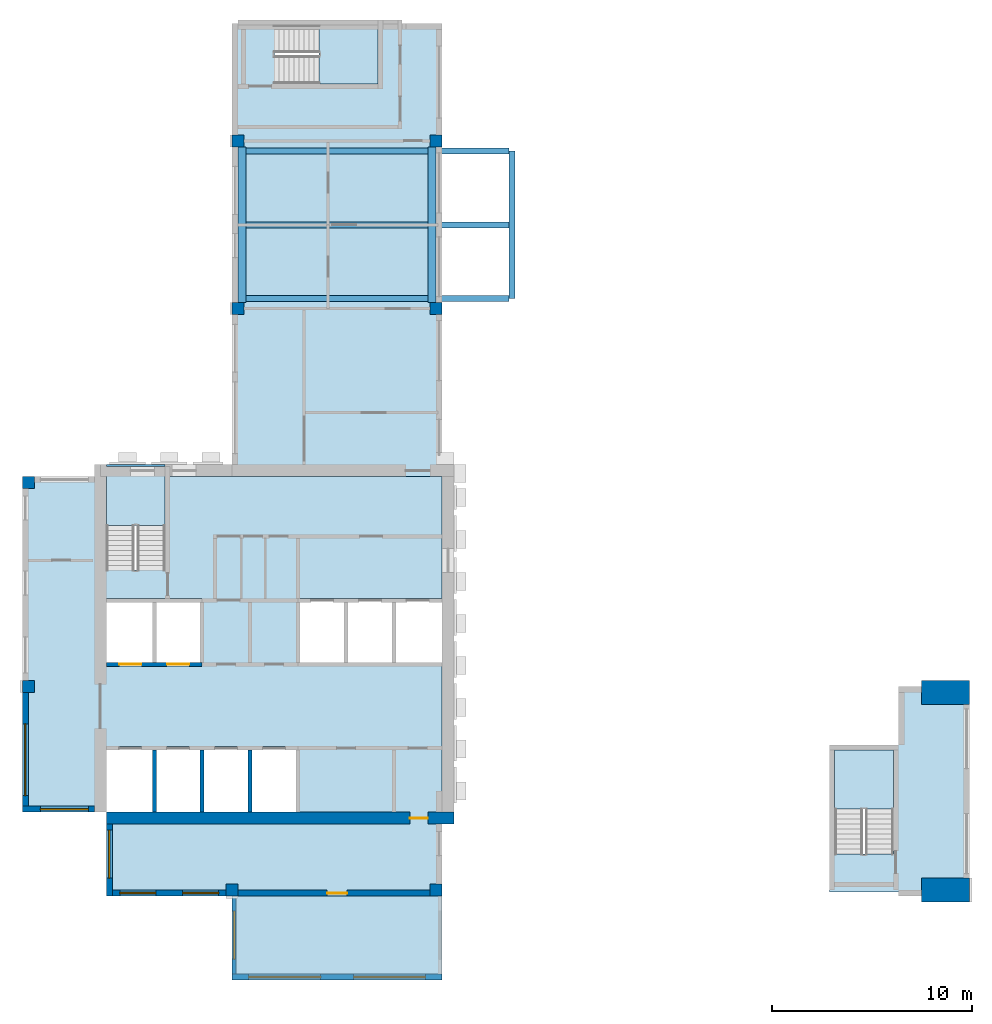
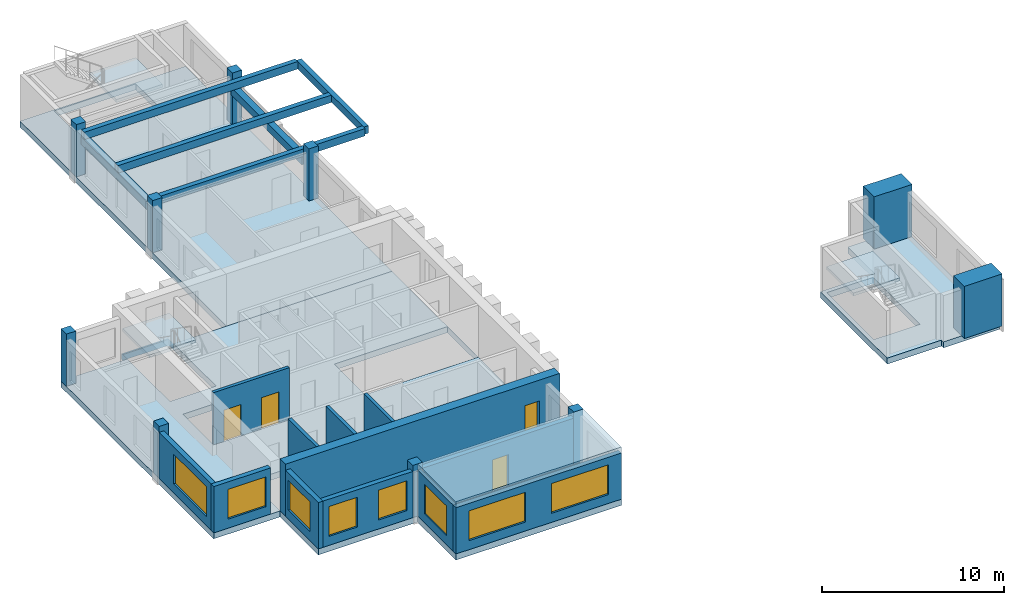
# One storey, part 1 of 7: 12 walls, 10 columns, 9 slabs, 8 windows, 6 beams, 4 doors, 12 openings, 3 elements without a shape of their own.
"""IFC4 building model written with IfcOpenShell, lengths in metres."""

from ifc_helpers import new_model, si_unit, direction, frame, frame_2d, origin, origin_2d, place, context, subcontext, project, spatial, polyline, rectangle, outline, extrude, source, transform, mapped, material, layer, layer_set, material_profile, profile_set, type_object, element, fill, aggregate, save


model = new_model("IFC4")

# Units and contexts
model_context = context("Model", 3, precision=1e-05, world=origin(), true_north=direction((0.0, 1.0)))
body_context = subcontext(model_context, "Body", "Model", "MODEL_VIEW")
ifc_project = project(units=[si_unit("LENGTHUNIT", "METRE"), si_unit("AREAUNIT", "SQUARE_METRE"), si_unit("VOLUMEUNIT", "CUBIC_METRE"), si_unit("PLANEANGLEUNIT", "RADIAN"), si_unit("MASSUNIT", "GRAM", prefix="KILO")], contexts=[model_context])

# Site, building, storey
site_placement = place(None, origin())
site = spatial("IfcSite", under=ifc_project, at=site_placement, CompositionType="ELEMENT")
building_placement = place(site_placement, origin())
building = spatial("IfcBuilding", under=site, at=building_placement, Name="Aurelian Terraces", CompositionType="ELEMENT")
storey_placement = place(building_placement, frame((0.0, 0.0, 337.0)))
storey = spatial("IfcBuildingStorey", under=building, at=storey_placement, Name="L79", CompositionType="ELEMENT", Elevation=337.0)

# Columns
ifc_material_1 = material(Name="Concrete fc' 55 MPa", Category="concrete")
ifc_material_profile_1 = material_profile(ifc_material_1, rectangle(XDim=0.6, YDim=0.6, at=origin_2d()))
ifc_profile_set_1 = profile_set([ifc_material_profile_1], Name="Concrete fc' 55 MPa")
column_type_1 = type_object("IfcColumnType", Name="RC COLUMN 600X600 FC55", PredefinedType="COLUMN", material=ifc_profile_set_1)
shared_shape_1 = source(origin(), body_context, "Body", "SweptSolid", [
    extrude(rectangle(XDim=0.6, YDim=0.6, at=origin_2d()), origin(), (0.0, 0.0, 1.0), 3.5),
])
for number, where, z_axis, x_axis, name in (
    (1, (10.5, 0.3, 0.0), (0.0, 0.0, 1.0), (1.0, 0.0, 0.0), "Column 2/A L79"),
    (2, (20.7, 0.3, 0.0), (0.0, 0.0, 1.0), (1.0, 0.0, 0.0), "Column 3/A L79"),
    (3, (0.3, 10.5, 0.0), (0.0, 0.0, 1.0), (1.0, 0.0, 0.0), "Column 1/B L79"),
    (4, (0.3, 20.7, 0.0), (0.0, 0.0, 1.0), (1.0, 0.0, 0.0), "Column 1/C L79"),
    (5, (10.8, 29.4, 0.0), (0.0, 0.0, 1.0), (1.0, 0.0, 0.0), "Column 2/D L79"),
    (6, (20.7, 29.4, 0.0), (0.0, 0.0, 1.0), (1.0, 0.0, 0.0), "Column 3/D L79"),
    (7, (10.8, 37.8, 0.0), (0.0, 0.0, 1.0), (1.0, 0.0, 0.0), "Column 2/E L79"),
    (8, (20.7, 37.8, 0.0), (0.0, 0.0, 1.0), (1.0, 0.0, 0.0), "Column 3/E L79"),
):
    element("IfcColumn", number, at=place(storey_placement, frame(where, z_axis=z_axis, x_axis=x_axis)), inside=storey, type_object=column_type_1, Name=name, PredefinedType="COLUMN", context=body_context, shape_type="MappedRepresentation", body=[
        mapped(shared_shape_1, transform((0.0, 0.0, 0.0), scale=1.0)),
    ])
ifc_material_profile_2 = material_profile(ifc_material_1, rectangle(XDim=2.4, YDim=1.2, at=origin_2d()))
ifc_profile_set_2 = profile_set([ifc_material_profile_2], Name="Concrete fc' 55 MPa")
column_type_2 = type_object("IfcColumnType", Name="Portal jamb pilaster 2400x1200", PredefinedType="PILASTER", material=ifc_profile_set_2)
shared_shape_2 = source(origin(), body_context, "Body", "SweptSolid", [
    extrude(rectangle(XDim=2.4, YDim=1.2, at=origin_2d()), origin(), (0.0, 0.0, 1.0), 3.5),
])
for number, where, z_axis, x_axis, name in (
    (9, (46.2, 0.3, 0.0), (0.0, 0.0, 1.0), (1.0, 0.0, 0.0), "Column 6/A L79"),
    (10, (46.2, 10.2, 0.0), (0.0, 0.0, 1.0), (1.0, 0.0, 0.0), "Column 6/B L79"),
):
    element("IfcColumn", number, at=place(storey_placement, frame(where, z_axis=z_axis, x_axis=x_axis)), inside=storey, type_object=column_type_2, Name=name, PredefinedType="PILASTER", context=body_context, shape_type="MappedRepresentation", body=[
        mapped(shared_shape_2, transform((0.0, 0.0, 0.0), scale=1.0)),
    ])

# Beams
ifc_material_2 = material(Name="Concrete fc' 40 MPa", Category="concrete")
ifc_material_profile_3 = material_profile(ifc_material_2, rectangle(XDim=0.3, YDim=0.5, at=origin_2d()))
ifc_profile_set_3 = profile_set([ifc_material_profile_3], Name="Concrete fc' 40 MPa")
beam_type_1 = type_object("IfcBeamType", Name="CONCRETE CANTILEVER BEAM 300X500", PredefinedType="BEAM", material=ifc_profile_set_3)
shared_shape_3 = source(origin(), body_context, "Body", "SweptSolid", [
    extrude(rectangle(XDim=0.3, YDim=0.5, at=origin_2d()), origin(), (0.0, 0.0, 1.0), 13.55),
])
for number, where, z_axis, x_axis, name in (
    (11, (24.35, 29.9, 2.85), (-1.0, 0.0, 0.0), (0.0, -1.0, 0.0), "Box cantilever beam J94.1"),
    (12, (24.35, 37.3, 2.85), (-1.0, 0.0, 0.0), (0.0, -1.0, 0.0), "Box cantilever beam J94.2"),
    (13, (24.35, 33.6, 2.85), (-1.0, 0.0, 0.0), (0.0, -1.0, 0.0), "Box cantilever beam J94.m1"),
):
    element("IfcBeam", number, at=place(storey_placement, frame(where, z_axis=z_axis, x_axis=x_axis)), inside=storey, type_object=beam_type_1, Name=name, PredefinedType="BEAM", context=body_context, shape_type="MappedRepresentation", body=[
        mapped(shared_shape_3, transform((0.0, 0.0, 0.0), scale=1.0)),
    ])
ifc_material_profile_4 = material_profile(ifc_material_2, rectangle(XDim=0.4, YDim=0.5, at=origin_2d()))
ifc_profile_set_4 = profile_set([ifc_material_profile_4], Name="Concrete fc' 40 MPa")
beam_type_2 = type_object("IfcBeamType", Name="CONCRETE EDGE GIRDER 400X500", PredefinedType="BEAM", material=ifc_profile_set_4)
shared_shape_4 = source(origin(), body_context, "Body", "SweptSolid", [
    extrude(rectangle(XDim=0.4, YDim=0.5, at=origin_2d()), origin(), (0.0, 0.0, 1.0), 7.8),
])
for number, where, z_axis, x_axis, name in (
    (14, (20.5, 29.7, 2.35), (0.0, 1.0, 0.0), (-1.0, 0.0, 0.0), "Box girder L79 O181"),
    (15, (11.0, 29.7, 2.35), (0.0, 1.0, 0.0), (-1.0, 0.0, 0.0), "Box girder L79 I182"),
):
    element("IfcBeam", number, at=place(storey_placement, frame(where, z_axis=z_axis, x_axis=x_axis)), inside=storey, type_object=beam_type_2, Name=name, PredefinedType="BEAM", context=body_context, shape_type="MappedRepresentation", body=[
        mapped(shared_shape_4, transform((0.0, 0.0, 0.0), scale=1.0)),
    ])
shared_shape_5 = source(origin(), body_context, "Body", "SweptSolid", [
    extrude(rectangle(XDim=0.3, YDim=0.5, at=origin_2d()), origin(), (0.0, 0.0, 1.0), 7.4),
])
beam_placement = place(storey_placement, frame((24.5, 29.9, 2.85), z_axis=(0.0, 1.0, 0.0), x_axis=(-1.0, 0.0, 0.0)))
element("IfcBeam", 16, at=beam_placement, inside=storey, type_object=beam_type_1, Name="Box tip beam J94", PredefinedType="BEAM", context=body_context, shape_type="MappedRepresentation", body=[
    mapped(shared_shape_5, transform((0.0, 0.0, 0.0), scale=1.0)),
])

# Slabs
ifc_layer_1 = layer(ifc_material_2, 0.4)
ifc_layer_set_1 = layer_set([ifc_layer_1], Name="Box roof 400")
slab_type_1 = type_object("IfcSlabType", Name="Box roof 400", PredefinedType="ROOF", material=ifc_layer_set_1)
slab_1_placement = place(storey_placement, frame((0.0, 0.0, 3.1)))
element("IfcSlab", 17, at=slab_1_placement, inside=storey, type_object=slab_type_1, Name="Box roof J93", PredefinedType="ROOF", context=body_context, shape_type="SweptSolid", body=[
    extrude(outline(polyline([(10.5, -4.2), (21.0, -4.2), (21.0, 0.0), (10.5, 0.0), (10.5, -4.2)])), origin(), (0.0, 0.0, 1.0), 0.4),
])
ifc_layer_2 = layer(ifc_material_2, 0.4)
ifc_layer_set_2 = layer_set([ifc_layer_2], Name="PT FLAT PLATE 400")
slab_type_2 = type_object("IfcSlabType", Name="PT FLAT PLATE 400", PredefinedType="FLOOR", material=ifc_layer_set_2)
slab_2_placement = place(storey_placement, frame((0.0, 0.0, -0.4)))
element("IfcSlab", 18, at=slab_2_placement, inside=storey, type_object=slab_type_2, Name="Floor slab S2 L79", PredefinedType="FLOOR", context=body_context, shape_type="SweptSolid", body=[
    extrude(outline(polyline([(43.85, 7.55), (43.85, 10.5), (47.4, 10.5), (47.4, 0.0), (43.85, 0.0), (43.85, 0.2), (40.4, 0.2), (40.4, 7.55), (43.85, 7.55)]), holes=[polyline([(40.66, 2.11), (43.59, 2.11), (43.59, 7.29), (40.66, 7.29), (40.66, 2.11)])]), origin(), (0.0, 0.0, 1.0), 0.4),
])
shared_shape_6 = source(origin(), body_context, "Body", "SweptSolid", [
    extrude(outline(polyline([(10.5, 43.68), (14.7, 43.68), (16.8, 43.68), (21.0, 43.68), (21.0, 21.0), (10.5, 21.0), (10.5, 43.68)]), holes=[polyline([(17.79, 43.59), (12.61, 43.59), (12.61, 40.66), (17.79, 40.66), (17.79, 43.59)])]), origin(), (0.0, 0.0, 1.0), 0.4),
])
slab_3_placement = place(storey_placement, frame((0.0, 0.0, -0.4)))
element("IfcSlab", 19, at=slab_3_placement, inside=storey, type_object=slab_type_2, Name="Floor slab W L79", PredefinedType="FLOOR", context=body_context, shape_type="MappedRepresentation", body=[
    mapped(shared_shape_6, transform((0.0, 0.0, 0.0), scale=1.0)),
])
shared_shape_7 = source(origin(), body_context, "Body", "SweptSolid", [
    extrude(outline(polyline([(4.2, 21.0), (4.2, 21.6), (7.15, 21.6), (7.15, 21.0), (7.14, 21.0), (7.14, 21.49), (4.21, 21.49), (4.21, 21.0), (4.2, 21.0)])), origin(), (0.0, 0.0, 1.0), 0.4),
])
slab_4_placement = place(storey_placement, frame((0.0, 0.0, -0.4)))
element("IfcSlab", 20, at=slab_4_placement, inside=storey, type_object=slab_type_2, Name="Floor slab W2 L79", PredefinedType="FLOOR", context=body_context, shape_type="MappedRepresentation", body=[
    mapped(shared_shape_7, transform((0.0, 0.0, 0.0), scale=1.0)),
])
shared_shape_8 = source(origin(), body_context, "Body", "SweptSolid", [
    extrude(outline(polyline([(0.0, 4.2), (0.0, 10.5), (0.0, 21.0), (4.21, 21.0), (4.21, 16.31), (7.14, 16.31), (7.14, 21.0), (21.0, 21.0), (21.0, 10.5), (21.0, 0.0), (4.2, 0.0), (4.2, 4.2), (0.0, 4.2)]), holes=[polyline([(13.81, 14.89), (13.81, 11.51), (20.99, 11.51), (20.99, 14.89), (13.81, 14.89)]), polyline([(4.21, 7.49), (4.21, 4.21), (13.79, 4.21), (13.79, 7.49), (4.21, 7.49)]), polyline([(8.99, 11.51), (8.99, 14.89), (4.21, 14.89), (4.21, 11.51), (8.99, 11.51)])]), origin(), (0.0, 0.0, 1.0), 0.4),
])
slab_5_placement = place(storey_placement, frame((0.0, 0.0, -0.4)))
element("IfcSlab", 21, at=slab_5_placement, inside=storey, type_object=slab_type_2, Name="Floor slab S L79", PredefinedType="FLOOR", context=body_context, shape_type="MappedRepresentation", body=[
    mapped(shared_shape_8, transform((0.0, 0.0, 0.0), scale=1.0)),
])
ifc_layer_3 = layer(ifc_material_2, 0.41)
ifc_layer_set_3 = layer_set([ifc_layer_3], Name="Box floor 410")
slab_type_3 = type_object("IfcSlabType", Name="Box floor 410", PredefinedType="NOTDEFINED", material=ifc_layer_set_3)
shared_shape_9 = source(origin(), body_context, "Body", "SweptSolid", [
    extrude(outline(polyline([(10.5, -4.2), (21.0, -4.2), (21.0, 0.0), (10.5, 0.0), (10.5, -4.2)])), origin(), (0.0, 0.0, 1.0), 0.41),
])
slab_6_placement = place(storey_placement, frame((0.0, 0.0, -0.41)))
element("IfcSlab", 22, at=slab_6_placement, inside=storey, type_object=slab_type_3, Name="Box floor L79 J93", PredefinedType="NOTDEFINED", context=body_context, shape_type="MappedRepresentation", body=[
    mapped(shared_shape_9, transform((0.0, 0.0, 0.0), scale=1.0)),
])

# Stair, slab
stair_type = type_object("IfcStairType", Name="Stair 1400", PredefinedType="HALF_TURN_STAIR", material=ifc_material_2)
stair_1_placement = place(storey_placement, origin())
stair_1 = element("IfcStair", 23, at=stair_1_placement, inside=storey, type_object=stair_type, Name="L79 S1", PredefinedType="HALF_TURN_STAIR")
ifc_layer_4 = layer(ifc_material_2, 0.2)
ifc_layer_set_4 = layer_set([ifc_layer_4], Name="Stair landing 200")
slab_type_4 = type_object("IfcSlabType", Name="Stair landing 200", PredefinedType="LANDING", material=ifc_layer_set_4)
shared_shape_10 = source(origin(), body_context, "Body", "SweptSolid", [
    extrude(outline(polyline([(7.15, 18.55), (7.15, 21.5), (4.2, 21.5), (4.2, 18.55), (7.15, 18.55)])), origin(), (0.0, 0.0, 1.0), 0.2),
])
slab_7_placement = place(storey_placement, frame((0.0, 0.0, 1.55)))
slab_7 = element("IfcSlab", 24, at=slab_7_placement, type_object=slab_type_4, Name="S1 landing 1", PredefinedType="LANDING", context=body_context, shape_type="MappedRepresentation", body=[
    mapped(shared_shape_10, transform((0.0, 0.0, 0.0), scale=1.0)),
])
aggregate(stair_1, [slab_7])

stair_2_placement = place(storey_placement, origin())
stair_2 = element("IfcStair", 25, at=stair_2_placement, inside=storey, type_object=stair_type, Name="L79 S2", PredefinedType="HALF_TURN_STAIR")
shared_shape_11 = source(origin(), body_context, "Body", "SweptSolid", [
    extrude(outline(polyline([(43.6, 4.35), (43.6, 7.3), (40.65, 7.3), (40.65, 4.35), (43.6, 4.35)])), origin(), (0.0, 0.0, 1.0), 0.2),
])
slab_8_placement = place(storey_placement, frame((0.0, 0.0, 1.55)))
slab_8 = element("IfcSlab", 26, at=slab_8_placement, type_object=slab_type_4, Name="S2 landing 1", PredefinedType="LANDING", context=body_context, shape_type="MappedRepresentation", body=[
    mapped(shared_shape_11, transform((0.0, 0.0, 0.0), scale=1.0)),
])
aggregate(stair_2, [slab_8])

stair_3_placement = place(storey_placement, origin())
stair_3 = element("IfcStair", 27, at=stair_3_placement, inside=storey, type_object=stair_type, Name="L79 S3U", PredefinedType="HALF_TURN_STAIR")
shared_shape_12 = source(origin(), body_context, "Body", "SweptSolid", [
    extrude(outline(polyline([(14.85, 40.65), (17.8, 40.65), (17.8, 43.6), (14.85, 43.6), (14.85, 40.65)])), origin(), (0.0, 0.0, 1.0), 0.2),
])
slab_9_placement = place(storey_placement, frame((0.0, 0.0, 1.55)))
slab_9 = element("IfcSlab", 28, at=slab_9_placement, type_object=slab_type_4, Name="S3U landing 1", PredefinedType="LANDING", context=body_context, shape_type="MappedRepresentation", body=[
    mapped(shared_shape_12, transform((0.0, 0.0, 0.0), scale=1.0)),
])
aggregate(stair_3, [slab_9])

# Wall, openings, windows
ifc_layer_5 = layer(ifc_material_2, 0.3)
ifc_layer_set_5 = layer_set([ifc_layer_5], Name="BOX BEARING WALL 300")
wall_type_1 = type_object("IfcWallType", Name="BOX BEARING WALL 300", PredefinedType="SOLIDWALL", material=ifc_layer_set_5)
wall_1_placement = place(storey_placement, frame((10.5, -4.05, 0.0), z_axis=(0.0, 0.0, 1.0), x_axis=(1.0, 0.0, 0.0)))
wall_1 = element("IfcWall", 29, at=wall_1_placement, inside=storey, type_object=wall_type_1, Name="Box wall L79 J93", PredefinedType="SOLIDWALL", context=body_context, shape_type="SweptSolid", body=[
    extrude(rectangle(XDim=10.5, YDim=0.3, at=frame_2d((5.25, 0.0))), origin(), (0.0, 0.0, 1.0), 3.1),
])
shared_shape_13 = source(origin(), body_context, "Body", "SweptSolid", [
    extrude(rectangle(XDim=3.6, YDim=2.0, at=frame_2d((1.8, 1.0))), frame((0.0, 0.16, 0.0), z_axis=(0.0, -1.0, 0.0), x_axis=(1.0, 0.0, 0.0)), (0.0, 0.0, 1.0), 0.32),
])
opening_1_placement = place(wall_1_placement, frame((0.825, 0.0, 0.6)))
opening_1 = element("IfcOpeningElement", 30, at=opening_1_placement, cuts=wall_1, Name="Opening W3620", PredefinedType="OPENING", context=body_context, shape_type="MappedRepresentation", body=[
    mapped(shared_shape_13, transform((0.0, 0.0, 0.0), scale=1.0)),
])
opening_2_placement = place(wall_1_placement, frame((6.075, 0.0, 0.6)))
opening_2 = element("IfcOpeningElement", 31, at=opening_2_placement, cuts=wall_1, Name="Opening W3620", PredefinedType="OPENING", context=body_context, shape_type="MappedRepresentation", body=[
    mapped(shared_shape_13, transform((0.0, 0.0, 0.0), scale=1.0)),
])
ifc_material_3 = material(Name="Clear glazing", Category="glass")
window_type_1 = type_object("IfcWindowType", Name="W-3600x2000", PartitioningType="SINGLE_PANEL", PredefinedType="WINDOW", material=ifc_material_3)
shared_shape_14 = source(origin(), body_context, "Body", "SweptSolid", [
    extrude(rectangle(XDim=3.6, YDim=2.0, at=frame_2d((1.8, 1.0))), frame((0.0, 0.03, 0.0), z_axis=(0.0, -1.0, 0.0), x_axis=(1.0, 0.0, 0.0)), (0.0, 0.0, 1.0), 0.06),
])
window_1_placement = place(opening_1_placement, origin())
window_1 = element("IfcWindow", 32, at=window_1_placement, inside=storey, type_object=window_type_1, Name="Window L79 J93-F1", OverallHeight=2.0, OverallWidth=3.6, PartitioningType="SINGLE_PANEL", PredefinedType="WINDOW", context=body_context, shape_type="MappedRepresentation", body=[
    mapped(shared_shape_14, transform((0.0, 0.0, 0.0), scale=1.0)),
])
fill(opening_1, window_1)
window_2_placement = place(opening_2_placement, origin())
window_2 = element("IfcWindow", 33, at=window_2_placement, inside=storey, type_object=window_type_1, Name="Window L79 J93-F2", OverallHeight=2.0, OverallWidth=3.6, PartitioningType="SINGLE_PANEL", PredefinedType="WINDOW", context=body_context, shape_type="MappedRepresentation", body=[
    mapped(shared_shape_14, transform((0.0, 0.0, 0.0), scale=1.0)),
])
fill(opening_2, window_2)

# Wall, opening, door
ifc_layer_6 = layer(ifc_material_1, 0.6)
ifc_layer_set_6 = layer_set([ifc_layer_6], Name="CORE WALL 600 FC55")
wall_type_2 = type_object("IfcWallType", Name="CORE WALL 600 FC55", PredefinedType="SHEAR", material=ifc_layer_set_6)
shared_shape_15 = source(origin(), body_context, "Body", "SweptSolid", [
    extrude(rectangle(XDim=17.4, YDim=0.6, at=frame_2d((8.7, 0.0))), origin(), (0.0, 0.0, 1.0), 3.5),
])
wall_2_placement = place(storey_placement, frame((4.2, 3.9, 0.0), z_axis=(0.0, 0.0, 1.0), x_axis=(1.0, 0.0, 0.0)))
wall_2 = element("IfcWall", 34, at=wall_2_placement, inside=storey, type_object=wall_type_2, Name="Core wall S L79", PredefinedType="SHEAR", context=body_context, shape_type="MappedRepresentation", body=[
    mapped(shared_shape_15, transform((0.0, 0.0, 0.0), scale=1.0)),
])
shared_shape_16 = source(origin(), body_context, "Body", "SweptSolid", [
    extrude(rectangle(XDim=0.9, YDim=2.1, at=frame_2d((0.45, 1.05))), frame((0.0, 0.31, 0.0), z_axis=(0.0, -1.0, 0.0), x_axis=(1.0, 0.0, 0.0)), (0.0, 0.0, 1.0), 0.62),
])
opening_3_placement = place(wall_2_placement, frame((15.2, 0.0, 0.0)))
opening_3 = element("IfcOpeningElement", 35, at=opening_3_placement, cuts=wall_2, Name="Opening 68225", PredefinedType="OPENING", context=body_context, shape_type="MappedRepresentation", body=[
    mapped(shared_shape_16, transform((0.0, 0.0, 0.0), scale=1.0)),
])
ifc_material_4 = material(Name="Steel door leaf", Category="steel")
door_type_1 = type_object("IfcDoorType", Name="Core service door 900x2100", OperationType="SINGLE_SWING_LEFT", PredefinedType="DOOR", material=ifc_material_4)
shared_shape_17 = source(origin(), body_context, "Body", "SweptSolid", [
    extrude(rectangle(XDim=0.9, YDim=2.1, at=frame_2d((0.45, 1.05))), frame((0.0, 0.025, 0.0), z_axis=(0.0, -1.0, 0.0), x_axis=(1.0, 0.0, 0.0)), (0.0, 0.0, 1.0), 0.05),
])
door_1_placement = place(opening_3_placement, origin())
door_1 = element("IfcDoor", 36, at=door_1_placement, inside=storey, type_object=door_type_1, Name="Core door 68225", OperationType="SINGLE_SWING_LEFT", OverallHeight=2.1, OverallWidth=0.9, PredefinedType="DOOR", context=body_context, shape_type="MappedRepresentation", body=[
    mapped(shared_shape_17, transform((0.0, 0.0, 0.0), scale=1.0)),
])
fill(opening_3, door_1)

# Wall, opening, window
ifc_material_5 = material(Name="Terracotta rainscreen cladding", Category="masonry")
ifc_layer_7 = layer(ifc_material_5, 0.3)
ifc_layer_set_7 = layer_set([ifc_layer_7], Name="EW-300")
wall_type_3 = type_object("IfcWallType", Name="EW-300", PredefinedType="STANDARD", material=ifc_layer_set_7)
shared_shape_18 = source(origin(), body_context, "Body", "SweptSolid", [
    extrude(rectangle(XDim=3.6, YDim=0.3, at=frame_2d((1.8, 0.0))), origin(), (0.0, 0.0, 1.0), 3.1),
])
wall_3_placement = place(storey_placement, frame((0.0, 4.35, 0.0), z_axis=(0.0, 0.0, 1.0), x_axis=(1.0, 0.0, 0.0)))
wall_3 = element("IfcWall", 37, at=wall_3_placement, inside=storey, type_object=wall_type_3, Name="External wall L79 F11.17", PredefinedType="STANDARD", context=body_context, shape_type="MappedRepresentation", body=[
    mapped(shared_shape_18, transform((0.0, 0.0, 0.0), scale=1.0)),
])
shared_shape_19 = source(origin(), body_context, "Body", "SweptSolid", [
    extrude(rectangle(XDim=2.4, YDim=2.0, at=frame_2d((1.2, 1.0))), frame((0.0, 0.16, 0.0), z_axis=(0.0, -1.0, 0.0), x_axis=(1.0, 0.0, 0.0)), (0.0, 0.0, 1.0), 0.32),
])
opening_4_placement = place(wall_3_placement, frame((0.9, 0.0, 0.6)))
opening_4 = element("IfcOpeningElement", 38, at=opening_4_placement, cuts=wall_3, Name="Opening W2420", PredefinedType="OPENING", context=body_context, shape_type="MappedRepresentation", body=[
    mapped(shared_shape_19, transform((0.0, 0.0, 0.0), scale=1.0)),
])
window_type_2 = type_object("IfcWindowType", Name="W-2400x2000", PartitioningType="SINGLE_PANEL", PredefinedType="WINDOW", material=ifc_material_3)
shared_shape_20 = source(origin(), body_context, "Body", "SweptSolid", [
    extrude(rectangle(XDim=2.4, YDim=2.0, at=frame_2d((1.2, 1.0))), frame((0.0, 0.03, 0.0), z_axis=(0.0, -1.0, 0.0), x_axis=(1.0, 0.0, 0.0)), (0.0, 0.0, 1.0), 0.06),
])
window_3_placement = place(opening_4_placement, origin())
window_3 = element("IfcWindow", 39, at=window_3_placement, inside=storey, type_object=window_type_2, Name="Window L79 L79-F11-17-0", OverallHeight=2.0, OverallWidth=2.4, PartitioningType="SINGLE_PANEL", PredefinedType="WINDOW", context=body_context, shape_type="MappedRepresentation", body=[
    mapped(shared_shape_20, transform((0.0, 0.0, 0.0), scale=1.0)),
])
fill(opening_4, window_3)

wall_4_placement = place(storey_placement, frame((4.35, 3.6, 0.0), z_axis=(0.0, 0.0, 1.0), x_axis=(0.0, -1.0, 0.0)))
wall_4 = element("IfcWall", 40, at=wall_4_placement, inside=storey, type_object=wall_type_3, Name="External wall L79 F12.18", PredefinedType="STANDARD", context=body_context, shape_type="MappedRepresentation", body=[
    mapped(shared_shape_18, transform((0.0, 0.0, 0.0), scale=1.0)),
])
opening_5_placement = place(wall_4_placement, frame((0.3, 0.0, 0.6)))
opening_5 = element("IfcOpeningElement", 41, at=opening_5_placement, cuts=wall_4, Name="Opening W2420", PredefinedType="OPENING", context=body_context, shape_type="MappedRepresentation", body=[
    mapped(shared_shape_19, transform((0.0, 0.0, 0.0), scale=1.0)),
])
window_4_placement = place(opening_5_placement, origin())
window_4 = element("IfcWindow", 42, at=window_4_placement, inside=storey, type_object=window_type_2, Name="Window L79 L79-F12-18-0", OverallHeight=2.0, OverallWidth=2.4, PartitioningType="SINGLE_PANEL", PredefinedType="WINDOW", context=body_context, shape_type="MappedRepresentation", body=[
    mapped(shared_shape_20, transform((0.0, 0.0, 0.0), scale=1.0)),
])
fill(opening_5, window_4)

ifc_layer_8 = layer(ifc_material_2, 0.2)
ifc_layer_set_8 = layer_set([ifc_layer_8], Name="BOX BEARING WALL 200")
wall_type_4 = type_object("IfcWallType", Name="BOX BEARING WALL 200", PredefinedType="SOLIDWALL", material=ifc_layer_set_8)
shared_shape_21 = source(origin(), body_context, "Body", "SweptSolid", [
    extrude(rectangle(XDim=3.9, YDim=0.2, at=frame_2d((1.95, 0.0))), origin(), (0.0, 0.0, 1.0), 3.1),
])
wall_5_placement = place(storey_placement, frame((10.6, 0.0, 0.0), z_axis=(0.0, 0.0, 1.0), x_axis=(0.0, -1.0, 0.0)))
wall_5 = element("IfcWall", 43, at=wall_5_placement, inside=storey, type_object=wall_type_4, Name="Box return L79 J93.1", PredefinedType="SOLIDWALL", context=body_context, shape_type="MappedRepresentation", body=[
    mapped(shared_shape_21, transform((0.0, 0.0, 0.0), scale=1.0)),
])
shared_shape_22 = source(origin(), body_context, "Body", "SweptSolid", [
    extrude(rectangle(XDim=2.4, YDim=2.0, at=frame_2d((1.2, 1.0))), frame((0.0, 0.11, 0.0), z_axis=(0.0, -1.0, 0.0), x_axis=(1.0, 0.0, 0.0)), (0.0, 0.0, 1.0), 0.22),
])
opening_6_placement = place(wall_5_placement, frame((0.75, 0.0, 0.6)))
opening_6 = element("IfcOpeningElement", 44, at=opening_6_placement, cuts=wall_5, Name="Opening W2420", PredefinedType="OPENING", context=body_context, shape_type="MappedRepresentation", body=[
    mapped(shared_shape_22, transform((0.0, 0.0, 0.0), scale=1.0)),
])
window_5_placement = place(opening_6_placement, origin())
window_5 = element("IfcWindow", 45, at=window_5_placement, inside=storey, type_object=window_type_2, Name="Window L79 J93-S1", OverallHeight=2.0, OverallWidth=2.4, PartitioningType="SINGLE_PANEL", PredefinedType="WINDOW", context=body_context, shape_type="MappedRepresentation", body=[
    mapped(shared_shape_20, transform((0.0, 0.0, 0.0), scale=1.0)),
])
fill(opening_6, window_5)

# Wall, openings, windows
shared_shape_23 = source(origin(), body_context, "Body", "SweptSolid", [
    extrude(rectangle(XDim=6.0, YDim=0.3, at=frame_2d((3.0, 0.0))), origin(), (0.0, 0.0, 1.0), 3.1),
])
wall_6_placement = place(storey_placement, frame((4.2, 0.15, 0.0), z_axis=(0.0, 0.0, 1.0), x_axis=(1.0, 0.0, 0.0)))
wall_6 = element("IfcWall", 46, at=wall_6_placement, inside=storey, type_object=wall_type_3, Name="External wall L79 F01.1", PredefinedType="STANDARD", context=body_context, shape_type="MappedRepresentation", body=[
    mapped(shared_shape_23, transform((0.0, 0.0, 0.0), scale=1.0)),
])
shared_shape_24 = source(origin(), body_context, "Body", "SweptSolid", [
    extrude(rectangle(XDim=1.8, YDim=2.0, at=frame_2d((0.9, 1.0))), frame((0.0, 0.16, 0.0), z_axis=(0.0, -1.0, 0.0), x_axis=(1.0, 0.0, 0.0)), (0.0, 0.0, 1.0), 0.32),
])
opening_7_placement = place(wall_6_placement, frame((0.675, 0.0, 0.6)))
opening_7 = element("IfcOpeningElement", 47, at=opening_7_placement, cuts=wall_6, Name="Opening W1820", PredefinedType="OPENING", context=body_context, shape_type="MappedRepresentation", body=[
    mapped(shared_shape_24, transform((0.0, 0.0, 0.0), scale=1.0)),
])
opening_8_placement = place(wall_6_placement, frame((3.825, 0.0, 0.6)))
opening_8 = element("IfcOpeningElement", 48, at=opening_8_placement, cuts=wall_6, Name="Opening W1820", PredefinedType="OPENING", context=body_context, shape_type="MappedRepresentation", body=[
    mapped(shared_shape_24, transform((0.0, 0.0, 0.0), scale=1.0)),
])
window_type_3 = type_object("IfcWindowType", Name="W-1800x2000", PartitioningType="SINGLE_PANEL", PredefinedType="WINDOW", material=ifc_material_3)
shared_shape_25 = source(origin(), body_context, "Body", "SweptSolid", [
    extrude(rectangle(XDim=1.8, YDim=2.0, at=frame_2d((0.9, 1.0))), frame((0.0, 0.03, 0.0), z_axis=(0.0, -1.0, 0.0), x_axis=(1.0, 0.0, 0.0)), (0.0, 0.0, 1.0), 0.06),
])
window_6_placement = place(opening_7_placement, origin())
window_6 = element("IfcWindow", 49, at=window_6_placement, inside=storey, type_object=window_type_3, Name="Window L79 L79-F01-01-0", OverallHeight=2.0, OverallWidth=1.8, PartitioningType="SINGLE_PANEL", PredefinedType="WINDOW", context=body_context, shape_type="MappedRepresentation", body=[
    mapped(shared_shape_25, transform((0.0, 0.0, 0.0), scale=1.0)),
])
fill(opening_7, window_6)
window_7_placement = place(opening_8_placement, origin())
window_7 = element("IfcWindow", 50, at=window_7_placement, inside=storey, type_object=window_type_3, Name="Window L79 L79-F01-01-1", OverallHeight=2.0, OverallWidth=1.8, PartitioningType="SINGLE_PANEL", PredefinedType="WINDOW", context=body_context, shape_type="MappedRepresentation", body=[
    mapped(shared_shape_25, transform((0.0, 0.0, 0.0), scale=1.0)),
])
fill(opening_8, window_7)

# Wall, opening, window
wall_7_placement = place(storey_placement, frame((0.15, 10.2, 0.0), z_axis=(0.0, 0.0, 1.0), x_axis=(0.0, -1.0, 0.0)))
wall_7 = element("IfcWall", 51, at=wall_7_placement, inside=storey, type_object=wall_type_3, Name="External wall L79 F10.16", PredefinedType="STANDARD", context=body_context, shape_type="MappedRepresentation", body=[
    mapped(shared_shape_23, transform((0.0, 0.0, 0.0), scale=1.0)),
])
opening_9_placement = place(wall_7_placement, frame((1.575, 0.0, 0.6)))
opening_9 = element("IfcOpeningElement", 52, at=opening_9_placement, cuts=wall_7, Name="Opening W3620", PredefinedType="OPENING", context=body_context, shape_type="MappedRepresentation", body=[
    mapped(shared_shape_13, transform((0.0, 0.0, 0.0), scale=1.0)),
])
window_8_placement = place(opening_9_placement, origin())
window_8 = element("IfcWindow", 53, at=window_8_placement, inside=storey, type_object=window_type_1, Name="Window L79 L79-F10-16-3", OverallHeight=2.0, OverallWidth=3.6, PartitioningType="SINGLE_PANEL", PredefinedType="WINDOW", context=body_context, shape_type="MappedRepresentation", body=[
    mapped(shared_shape_14, transform((0.0, 0.0, 0.0), scale=1.0)),
])
fill(opening_9, window_8)

# Wall, opening, door
shared_shape_26 = source(origin(), body_context, "Body", "SweptSolid", [
    extrude(rectangle(XDim=9.6, YDim=0.3, at=frame_2d((4.8, 0.0))), origin(), (0.0, 0.0, 1.0), 3.1),
])
wall_8_placement = place(storey_placement, frame((10.8, 0.15, 0.0), z_axis=(0.0, 0.0, 1.0), x_axis=(1.0, 0.0, 0.0)))
wall_8 = element("IfcWall", 54, at=wall_8_placement, inside=storey, type_object=wall_type_3, Name="External wall L79 F01.2", PredefinedType="STANDARD", context=body_context, shape_type="MappedRepresentation", body=[
    mapped(shared_shape_26, transform((0.0, 0.0, 0.0), scale=1.0)),
])
shared_shape_27 = source(origin(), body_context, "Body", "SweptSolid", [
    extrude(rectangle(XDim=1.0, YDim=2.1, at=frame_2d((0.5, 1.05))), frame((0.0, 0.16, 0.0), z_axis=(0.0, -1.0, 0.0), x_axis=(1.0, 0.0, 0.0)), (0.0, 0.0, 1.0), 0.32),
])
opening_10_placement = place(wall_8_placement, frame((4.45, 0.0, 0.0)))
opening_10 = element("IfcOpeningElement", 55, at=opening_10_placement, cuts=wall_8, Name="Opening 879001", PredefinedType="OPENING", context=body_context, shape_type="MappedRepresentation", body=[
    mapped(shared_shape_27, transform((0.0, 0.0, 0.0), scale=1.0)),
])
ifc_material_6 = material(Name="Timber door leaf", Category="wood")
door_type_2 = type_object("IfcDoorType", Name="Room door 1000x2100 left", OperationType="SINGLE_SWING_LEFT", PredefinedType="DOOR", material=ifc_material_6)
shared_shape_28 = source(origin(), body_context, "Body", "SweptSolid", [
    extrude(rectangle(XDim=1.0, YDim=2.1, at=frame_2d((0.5, 1.05))), frame((0.0, 0.025, 0.0), z_axis=(0.0, -1.0, 0.0), x_axis=(1.0, 0.0, 0.0)), (0.0, 0.0, 1.0), 0.05),
])
door_2_placement = place(opening_10_placement, origin())
door_2 = element("IfcDoor", 56, at=door_2_placement, inside=storey, type_object=door_type_2, Name="Door 879001", OperationType="SINGLE_SWING_LEFT", OverallHeight=2.1, OverallWidth=1.0, PredefinedType="DOOR", context=body_context, shape_type="MappedRepresentation", body=[
    mapped(shared_shape_28, transform((0.0, 0.0, 0.0), scale=1.0)),
])
fill(opening_10, door_2)

# Walls
ifc_layer_9 = layer(ifc_material_2, 0.2)
ifc_layer_set_9 = layer_set([ifc_layer_9], Name="Lift shaft wall 200")
wall_type_5 = type_object("IfcWallType", Name="Lift shaft wall 200", PredefinedType="SOLIDWALL", material=ifc_layer_set_9)
shared_shape_29 = source(origin(), body_context, "Body", "SweptSolid", [
    extrude(rectangle(XDim=3.1, YDim=0.2, at=frame_2d((1.55, 0.0))), origin(), (0.0, 0.0, 1.0), 3.5),
])
for number, where, z_axis, x_axis, name in (
    (57, (6.6, 4.2, 0.0), (0.0, 0.0, 1.0), (0.0, 1.0, 0.0), "L79 core wall CD-A1"),
    (58, (9.0, 4.2, 0.0), (0.0, 0.0, 1.0), (0.0, 1.0, 0.0), "L79 core wall CD-A2"),
    (59, (11.4, 4.2, 0.0), (0.0, 0.0, 1.0), (0.0, 1.0, 0.0), "L79 core wall CD-A3"),
):
    element("IfcWall", number, at=place(storey_placement, frame(where, z_axis=z_axis, x_axis=x_axis)), inside=storey, type_object=wall_type_5, Name=name, PredefinedType="SOLIDWALL", context=body_context, shape_type="MappedRepresentation", body=[
        mapped(shared_shape_29, transform((0.0, 0.0, 0.0), scale=1.0)),
    ])

# Wall, openings, doors
shared_shape_30 = source(origin(), body_context, "Body", "SweptSolid", [
    extrude(rectangle(XDim=4.8, YDim=0.2, at=frame_2d((2.4, 0.0))), origin(), (0.0, 0.0, 1.0), 3.5),
])
wall_9_placement = place(storey_placement, frame((4.2, 11.6, 0.0), z_axis=(0.0, 0.0, 1.0), x_axis=(1.0, 0.0, 0.0)))
wall_9 = element("IfcWall", 60, at=wall_9_placement, inside=storey, type_object=wall_type_5, Name="L79 core wall CF-BF1", PredefinedType="SOLIDWALL", context=body_context, shape_type="MappedRepresentation", body=[
    mapped(shared_shape_30, transform((0.0, 0.0, 0.0), scale=1.0)),
])
shared_shape_31 = source(origin(), body_context, "Body", "SweptSolid", [
    extrude(rectangle(XDim=1.1, YDim=2.1, at=frame_2d((0.55, 1.05))), frame((0.0, 0.11, 0.0), z_axis=(0.0, -1.0, 0.0), x_axis=(1.0, 0.0, 0.0)), (0.0, 0.0, 1.0), 0.22),
])
opening_11_placement = place(wall_9_placement, frame((0.65, 0.0, 0.0)))
opening_11 = element("IfcOpeningElement", 61, at=opening_11_placement, cuts=wall_9, Name="Opening 68206", PredefinedType="OPENING", context=body_context, shape_type="MappedRepresentation", body=[
    mapped(shared_shape_31, transform((0.0, 0.0, 0.0), scale=1.0)),
])
opening_12_placement = place(wall_9_placement, frame((3.05, 0.0, 0.0)))
opening_12 = element("IfcOpeningElement", 62, at=opening_12_placement, cuts=wall_9, Name="Opening 68207", PredefinedType="OPENING", context=body_context, shape_type="MappedRepresentation", body=[
    mapped(shared_shape_31, transform((0.0, 0.0, 0.0), scale=1.0)),
])
ifc_material_7 = material(Name="Stainless steel", Category="steel")
door_type_3 = type_object("IfcDoorType", Name="Lift landing door 1100x2100", OperationType="SLIDING_TO_LEFT", PredefinedType="DOOR", material=ifc_material_7)
shared_shape_32 = source(origin(), body_context, "Body", "SweptSolid", [
    extrude(rectangle(XDim=1.1, YDim=2.1, at=frame_2d((0.55, 1.05))), frame((0.0, 0.025, 0.0), z_axis=(0.0, -1.0, 0.0), x_axis=(1.0, 0.0, 0.0)), (0.0, 0.0, 1.0), 0.05),
])
door_3_placement = place(opening_11_placement, origin())
door_3 = element("IfcDoor", 63, at=door_3_placement, inside=storey, type_object=door_type_3, Name="Lift landing door LH5 L79", OperationType="SLIDING_TO_LEFT", OverallHeight=2.1, OverallWidth=1.1, PredefinedType="DOOR", context=body_context, shape_type="MappedRepresentation", body=[
    mapped(shared_shape_32, transform((0.0, 0.0, 0.0), scale=1.0)),
])
fill(opening_11, door_3)
door_4_placement = place(opening_12_placement, origin())
door_4 = element("IfcDoor", 64, at=door_4_placement, inside=storey, type_object=door_type_3, Name="Lift landing door LH6 L79", OperationType="SLIDING_TO_LEFT", OverallHeight=2.1, OverallWidth=1.1, PredefinedType="DOOR", context=body_context, shape_type="MappedRepresentation", body=[
    mapped(shared_shape_32, transform((0.0, 0.0, 0.0), scale=1.0)),
])
fill(opening_12, door_4)

save(model, "model.ifc")
